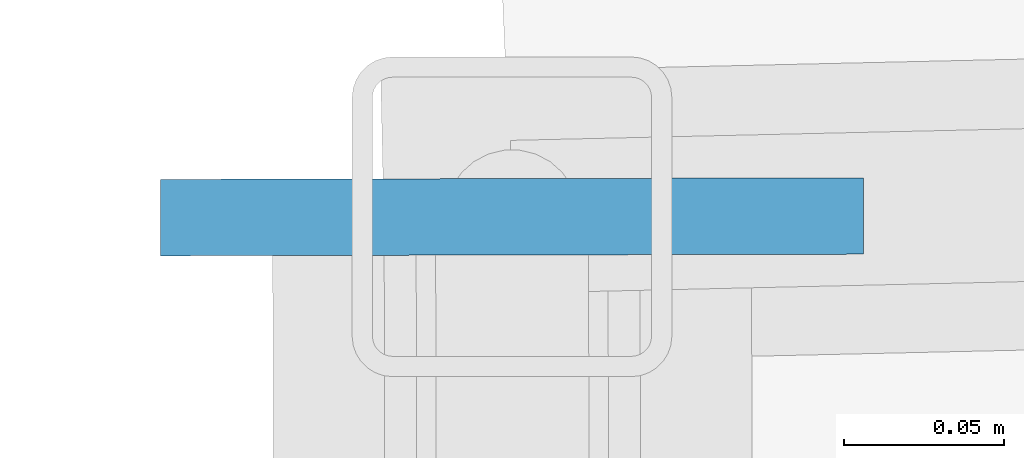
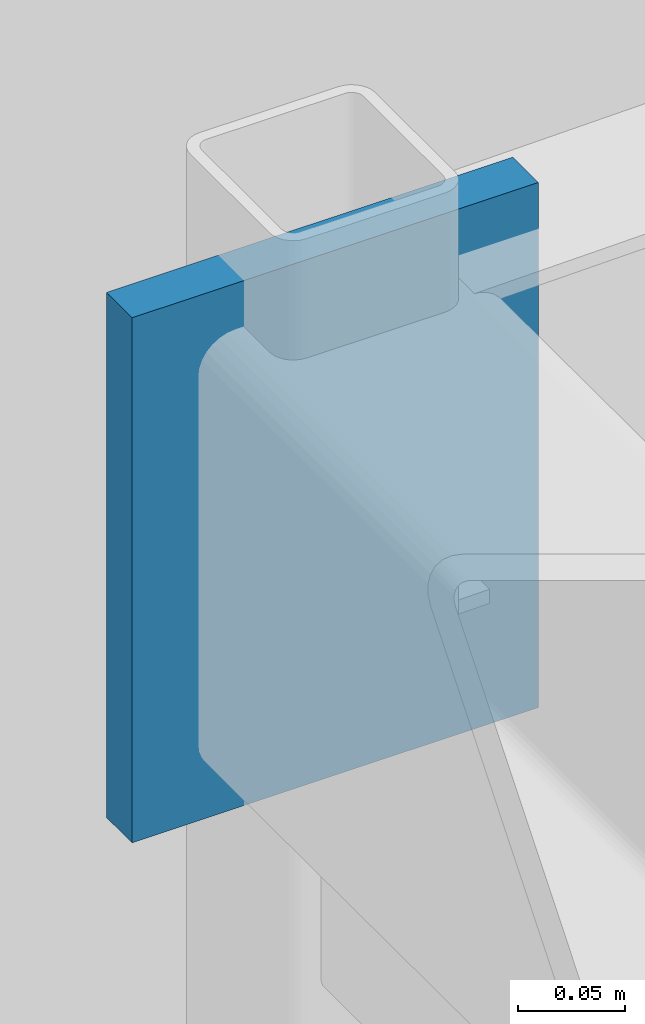
# One storey, part 53 of 100: 1 plate.
"""IFC4 building model written with IfcOpenShell, lengths in metres."""

from ifc_helpers import new_model, si_unit, direction, frame, origin, origin_2d, place, context, subcontext, project, spatial, rectangle, extrude, material, layer, layer_set, type_object, element, save


model = new_model("IFC4")

# Units and contexts
model_context = context("Model", 3, precision=1e-05, world=origin(), true_north=direction((0.0, 1.0)))
body_context = subcontext(model_context, "Body", "Model", "MODEL_VIEW")
ifc_project = project(units=[si_unit("LENGTHUNIT", "METRE"), si_unit("AREAUNIT", "SQUARE_METRE"), si_unit("VOLUMEUNIT", "CUBIC_METRE"), si_unit("PLANEANGLEUNIT", "RADIAN"), si_unit("MASSUNIT", "GRAM", prefix="KILO"), si_unit("POWERUNIT", "WATT"), si_unit("THERMODYNAMICTEMPERATUREUNIT", "KELVIN")], contexts=[model_context])

# Site, building, storey
site_placement = place(None, origin())
site = spatial("IfcSite", under=ifc_project, at=site_placement, CompositionType="ELEMENT")
building_placement = place(site_placement, origin())
building = spatial("IfcBuilding", under=site, at=building_placement, Name="Ruvembo Vaulted Housing Court", CompositionType="ELEMENT")
storey_placement = place(building_placement, frame((0.0, 0.0, 14.10009765625)))
storey = spatial("IfcBuildingStorey", under=building, at=storey_placement, Name="L04", CompositionType="ELEMENT", Elevation=14.10009765625)

# Plate
ifc_material = material(Name="Steel S355J2", Category="steel")
ifc_layer = layer(ifc_material, 0.01611328125, Name="Steel S355J2")
ifc_layer_set = layer_set([ifc_layer], Name="Steel S355J2")
plate_type = type_object("IfcPlateType", Name="PL-NODE-GUSSET-16", PredefinedType="USERDEFINED", material=ifc_layer_set)
plate_placement = place(storey_placement, frame((47.7880859375, 75.04248046875, 2.6650390625), z_axis=(0.0, 0.0, 1.0), x_axis=(-0.002286379328, 0.999997386231, 0.0)))
element("IfcPlate", 1, at=plate_placement, inside=storey, type_object=plate_type, Name="Scoop SC1 L04 Hollow Spandrel End Cap Plate 18", ObjectType="GUSSET_PLATE", PredefinedType="USERDEFINED", context=body_context, shape_type="SweptSolid", body=[
    extrude(rectangle(XDim=0.02392578125, YDim=0.219970703125, at=origin_2d()), origin(), (0.0, 0.0, 1.0), 0.300048828125),
])

save(model, "model.ifc")
